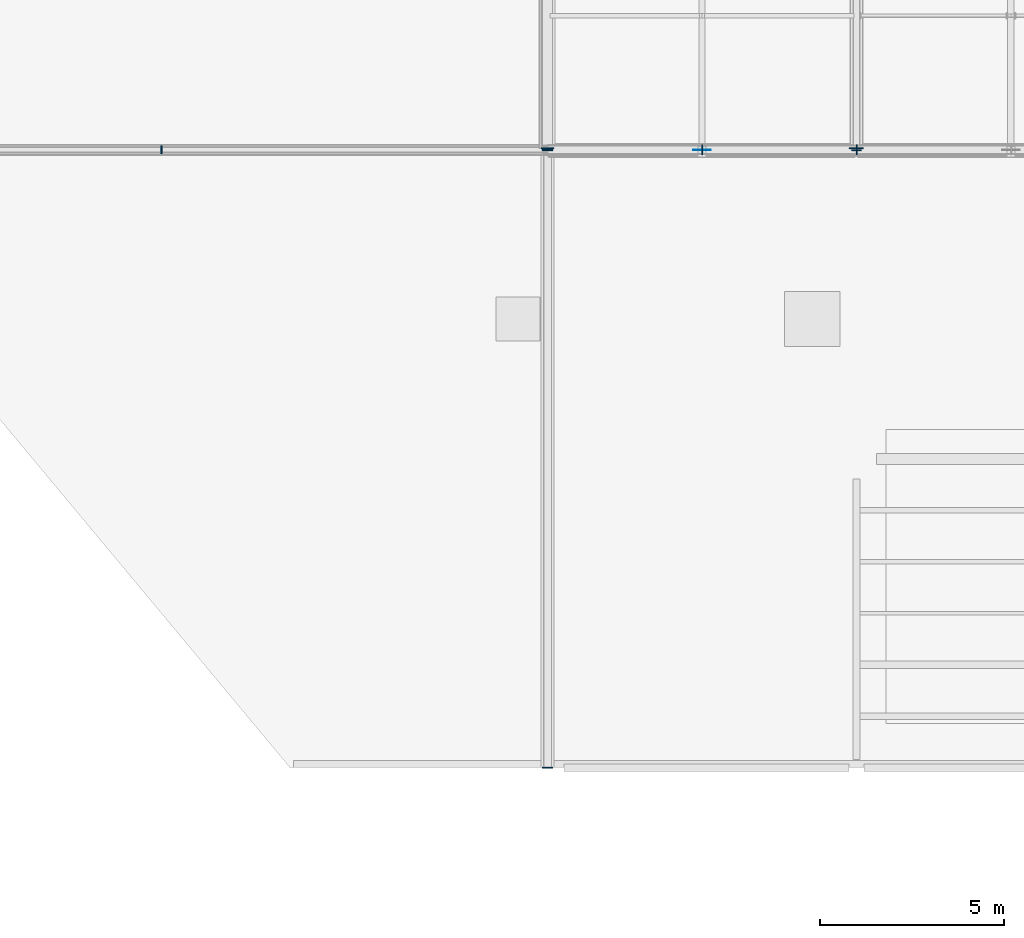
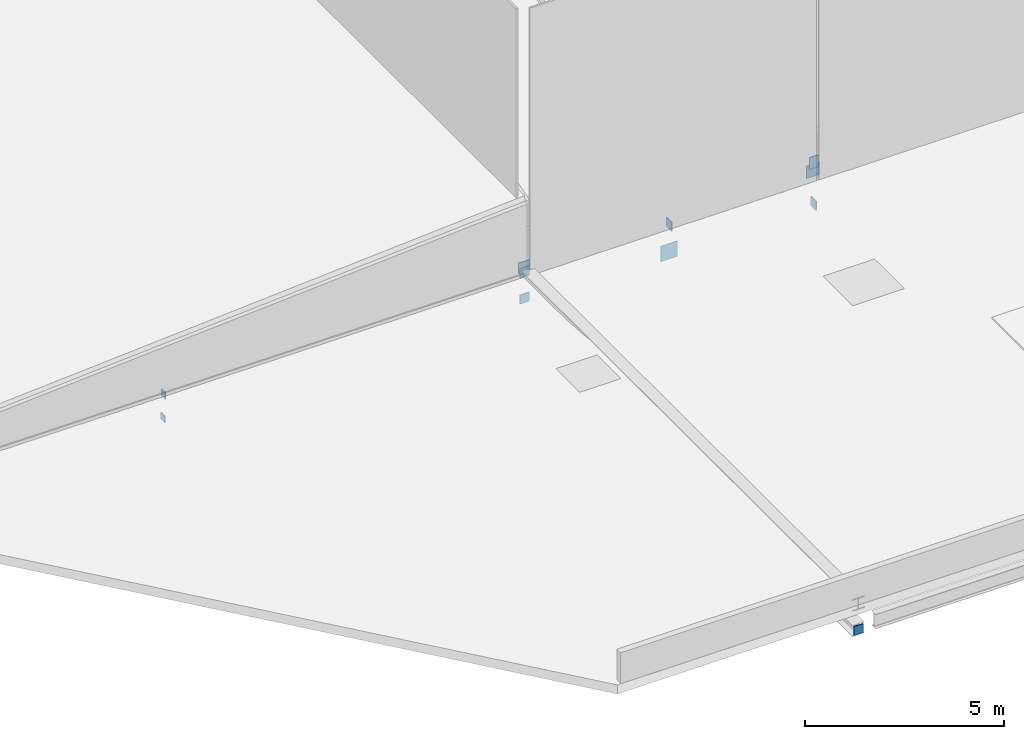
# One storey, part 55 of 77: 11 plates.
"""IFC4 building model written with IfcOpenShell, lengths in metres."""

from ifc_helpers import new_model, si_unit, direction, frame, origin, origin_2d, place, context, subcontext, project, spatial, rectangle, extrude, material, layer, layer_set, type_object, element, save


model = new_model("IFC4")

# Units and contexts
model_context = context("Model", 3, precision=1e-05, world=origin(), true_north=direction((0.0, 1.0)))
body_context = subcontext(model_context, "Body", "Model", "MODEL_VIEW")
ifc_project = project(units=[si_unit("LENGTHUNIT", "METRE"), si_unit("AREAUNIT", "SQUARE_METRE"), si_unit("VOLUMEUNIT", "CUBIC_METRE"), si_unit("PLANEANGLEUNIT", "RADIAN"), si_unit("MASSUNIT", "GRAM", prefix="KILO")], contexts=[model_context])

# Site, building, storey
site_placement = place(None, origin())
site = spatial("IfcSite", under=ifc_project, at=site_placement, CompositionType="ELEMENT")
building_placement = place(site_placement, origin())
building = spatial("IfcBuilding", under=site, at=building_placement, Name="Larkvane Passage Sports Hall", CompositionType="ELEMENT")
storey_placement = place(building_placement, frame((0.0, 0.0, 22.199951171875)))
storey = spatial("IfcBuildingStorey", under=building, at=storey_placement, Name="RF", CompositionType="ELEMENT", Elevation=22.199951171875)

# Plates
ifc_material_1 = material(Name="Steel S355JR", Category="steel")
ifc_layer_1 = layer(ifc_material_1, 0.011962890625)
ifc_layer_set_1 = layer_set([ifc_layer_1], Name="Steel S355JR")
plate_type_1 = type_object("IfcPlateType", Name="PLT-CAP-12", PredefinedType="SHEET", material=ifc_layer_set_1)
plate_1_placement = place(storey_placement, frame((34.800048828125, 39.64404296875, 0.024169921875), z_axis=(0.0, 0.0, 1.0), x_axis=(-1.0, 0.0, 0.0)))
element("IfcPlate", 1, at=plate_1_placement, inside=storey, type_object=plate_type_1, Name="Hollow section sealed end cap plate 0223", PredefinedType="SHEET", context=body_context, shape_type="SweptSolid", body=[
    extrude(rectangle(XDim=0.326904296875, YDim=0.028076171875, at=origin_2d()), origin(), (0.0, 0.0, 1.0), 0.330078125),
])
for number, where, z_axis, x_axis, name in (
    (2, (34.800048828125, 22.7939453125, -0.87890625), (0.0, 0.0, 1.0), (-1.0, 0.0, 0.0), "Hollow section sealed end cap plate 0361"),
    (3, (34.800048828125, 39.60595703125, -0.08837890625), (0.0, 0.0, 1.0), (-1.0, 0.0, 0.0), "Hollow section sealed end cap plate 0362"),
    (4, (34.800048828125, 39.593994140625, -0.87890625), (0.0, 0.0, 1.0), (-1.0, 0.0, 0.0), "Hollow section sealed end cap plate 0363"),
):
    element("IfcPlate", number, at=place(storey_placement, frame(where, z_axis=z_axis, x_axis=x_axis)), inside=storey, type_object=plate_type_1, Name=name, PredefinedType="SHEET", context=body_context, shape_type="SweptSolid", body=[
        extrude(rectangle(XDim=0.27587890625, YDim=0.028076171875, at=origin_2d()), origin(), (0.0, 0.0, 1.0), 0.277099609375),
    ])
for number, where, z_axis, x_axis, name in (
    (5, (39.005859375, 39.60009765625, -0.0888671875), (0.0, 0.0, 1.0), (0.0, 1.0, 0.0), "Hollow section sealed end cap plate 0364"),
    (6, (43.205810546875, 39.60009765625, -0.92138671875), (0.0, 0.0, 1.0), (0.0, 1.0, 0.0), "Hollow section sealed end cap plate 0365"),
):
    element("IfcPlate", number, at=place(storey_placement, frame(where, z_axis=z_axis, x_axis=x_axis)), inside=storey, type_object=plate_type_1, Name=name, PredefinedType="SHEET", context=body_context, shape_type="SweptSolid", body=[
        extrude(rectangle(XDim=0.27587890625, YDim=0.028076171875, at=origin_2d()), origin(), (0.0, 0.0, 1.0), 0.280029296875),
    ])
for number, where, z_axis, x_axis, name in (
    (7, (24.305908203125, 39.60009765625, -0.12451171875), (0.0, 0.0, 1.0), (0.0, 1.0, 0.0), "Hollow section sealed end cap plate 0551"),
    (8, (24.2939453125, 39.60009765625, -0.84521484375), (0.0, 0.0, 1.0), (0.0, 1.0, 0.0), "Hollow section sealed end cap plate 0552"),
):
    element("IfcPlate", number, at=place(storey_placement, frame(where, z_axis=z_axis, x_axis=x_axis)), inside=storey, type_object=plate_type_1, Name=name, PredefinedType="SHEET", context=body_context, shape_type="SweptSolid", body=[
        extrude(rectangle(XDim=0.2099609375, YDim=0.028076171875, at=origin_2d()), origin(), (0.0, 0.0, 1.0), 0.2099609375),
    ])
ifc_material_2 = material(Name="Steel S460N", Category="steel")
ifc_layer_2 = layer(ifc_material_2, 0.02001953125)
ifc_layer_set_2 = layer_set([ifc_layer_2], Name="Steel S460N")
plate_type_2 = type_object("IfcPlateType", Name="PLT-CAP-20", PredefinedType="SHEET", material=ifc_layer_set_2)
plate_2_placement = place(storey_placement, frame((43.199951171875, 39.590087890625, 0.31787109375), z_axis=(0.0, 0.0, 1.0), x_axis=(-1.0, 0.0, 0.0)))
element("IfcPlate", 9, at=plate_2_placement, inside=storey, type_object=plate_type_2, Name="Hollow section sealed end cap plate 0236", PredefinedType="SHEET", context=body_context, shape_type="SweptSolid", body=[
    extrude(rectangle(XDim=0.260009765625, YDim=0.028076171875, at=origin_2d()), origin(), (0.0, 0.0, 1.0), 0.362060546875),
])
plate_3_placement = place(storey_placement, frame((43.199951171875, 39.64013671875, 0.0234375), z_axis=(0.0, 0.0, 1.0), x_axis=(-1.0, 0.0, 0.0)))
element("IfcPlate", 10, at=plate_3_placement, inside=storey, type_object=plate_type_2, Name="Hollow section sealed end cap plate 0238", PredefinedType="SHEET", context=body_context, shape_type="SweptSolid", body=[
    extrude(rectangle(XDim=0.37890625, YDim=0.028076171875, at=origin_2d()), origin(), (0.0, 0.0, 1.0), 0.381103515625),
])
ifc_layer_3 = layer(ifc_material_2, 0.01611328125)
ifc_layer_set_3 = layer_set([ifc_layer_3], Name="Steel S460N")
plate_type_3 = type_object("IfcPlateType", Name="PLT-GUS-16", PredefinedType="USERDEFINED", material=ifc_layer_set_3)
plate_4_placement = place(storey_placement, frame((39.0, 39.60009765625, -1.02001953125), z_axis=(0.0, 0.0, 1.0), x_axis=(1.0, 0.0, 0.0)))
element("IfcPlate", 11, at=plate_4_placement, inside=storey, type_object=plate_type_3, Name="Brace connection gusset plate 0366", ObjectType="GUSSET PLATE", PredefinedType="USERDEFINED", context=body_context, shape_type="SweptSolid", body=[
    extrude(rectangle(XDim=0.47998046875, YDim=0.01611328125, at=origin_2d()), origin(), (0.0, 0.0, 1.0), 0.47998046875),
])

save(model, "model.ifc")
